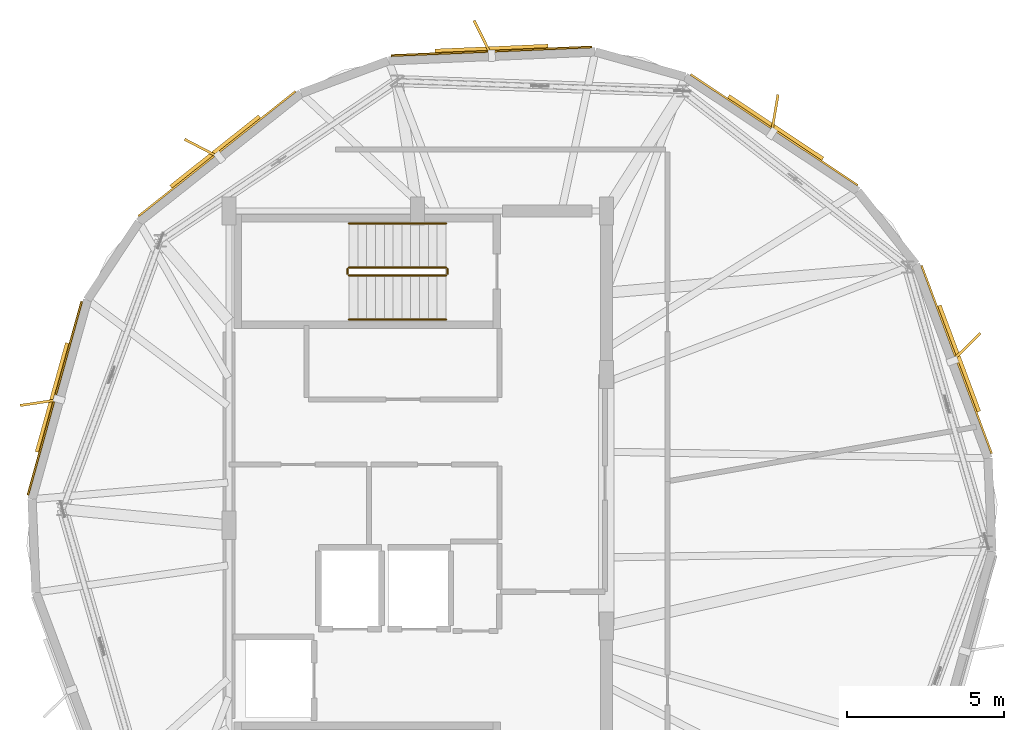
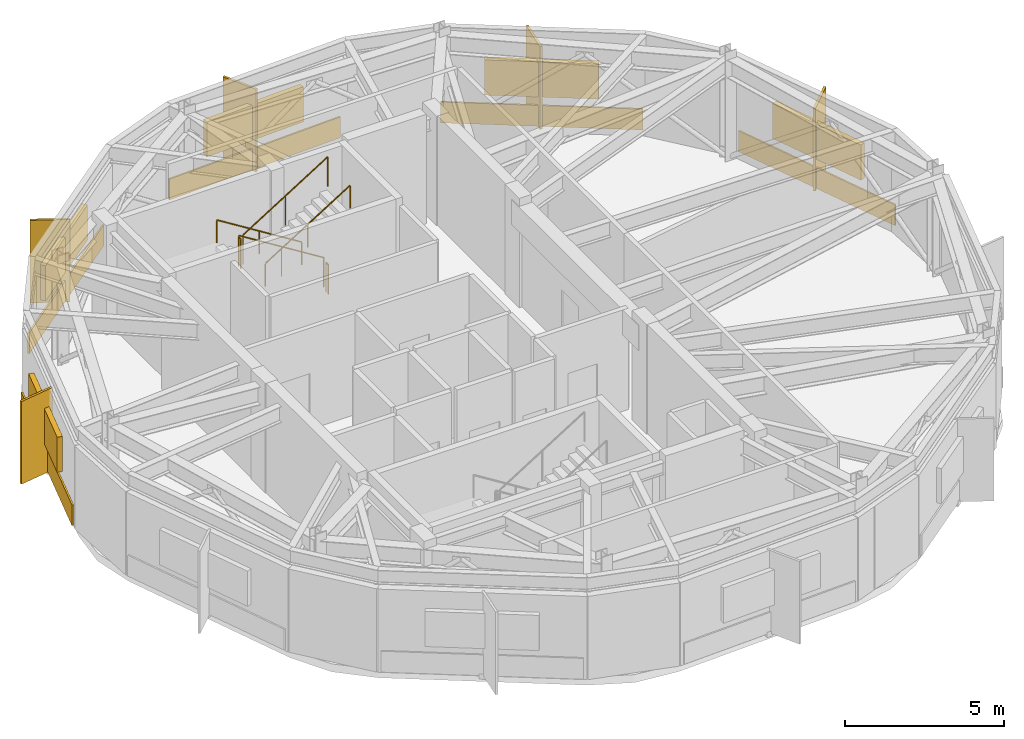
# One storey, part 6 of 6: 10 shading devices, 6 railings, 5 coverings.
"""IFC4 building model written with IfcOpenShell, lengths in metres."""

from ifc_helpers import new_model, si_unit, direction, frame, origin, origin_2d, place, context, subcontext, project, spatial, rectangle, circle, extrude, material, layer, layer_set, type_object, element, save


model = new_model("IFC4")

# Units and contexts
model_context = context("Model", 3, precision=1e-05, world=origin(), true_north=direction((0.0, 1.0)))
body_context = subcontext(model_context, "Body", "Model", "MODEL_VIEW")
ifc_project = project(units=[si_unit("LENGTHUNIT", "METRE"), si_unit("AREAUNIT", "SQUARE_METRE"), si_unit("VOLUMEUNIT", "CUBIC_METRE"), si_unit("PLANEANGLEUNIT", "RADIAN"), si_unit("MASSUNIT", "GRAM", prefix="KILO")], contexts=[model_context])

# Site, building, storey
site_placement = place(None, origin())
site = spatial("IfcSite", under=ifc_project, at=site_placement, CompositionType="ELEMENT")
building_placement = place(site_placement, origin())
building = spatial("IfcBuilding", under=site, at=building_placement, Name="Soratama Intermodal Tower", CompositionType="ELEMENT")
storey_placement = place(building_placement, frame((0.0, 0.0, 309.85009765625)))
storey = spatial("IfcBuildingStorey", under=building, at=storey_placement, Name="L78", CompositionType="ELEMENT", Elevation=309.85009765625)

# Coverings
ifc_material_1 = material(Name="Honed Andean limestone cladding", Category="masonry")
ifc_layer_1 = layer(ifc_material_1, 0.06005859375)
ifc_layer_set_1 = layer_set([ifc_layer_1], Name="Honed Andean limestone cladding")
covering_type = type_object("IfcCoveringType", Name="CV-STONE-CLAD", PredefinedType="CLADDING", material=ifc_layer_set_1)
for number, where, z_axis, x_axis, name in (
    (1, (40.9521484375, 40.07763671875, 0.0498046875), (0.0, 0.0, 1.0), (-0.999078430194, -0.042921909558, 0.0), "L78 Stone Cladding F01"),
    (2, (32.21337890625, 36.8173828125, 0.0498046875), (0.0, 0.0, 1.0), (-0.783042563302, -0.621968121415, 0.0), "L78 Stone Cladding F02"),
    (3, (27.06005859375, 29.043212890625, 0.0498046875), (0.0, 0.0, 1.0), (-0.267911051866, -0.963443650811, 0.0), "L78 Stone Cladding F03"),
):
    element("IfcCovering", number, at=place(storey_placement, frame(where, z_axis=z_axis, x_axis=x_axis)), inside=storey, type_object=covering_type, Name=name, PredefinedType="CLADDING", context=body_context, shape_type="SweptSolid", body=[
        extrude(rectangle(XDim=6.3837890625, YDim=0.06005859375, at=origin_2d()), origin(), (0.0, 0.0, 1.0), 0.800048828125),
    ])
covering_1_placement = place(storey_placement, frame((55.739501953125, 30.275390625, 0.0498046875), z_axis=(0.0, 0.0, 1.0), x_axis=(-0.349553375421, 0.936916451842, 0.0)))
element("IfcCovering", 4, at=covering_1_placement, inside=storey, type_object=covering_type, Name="L78 Stone Cladding F09", PredefinedType="CLADDING", context=body_context, shape_type="SweptSolid", body=[
    extrude(rectangle(XDim=6.384033203125, YDim=0.06005859375, at=origin_2d()), origin(), (0.0, 0.0, 1.0), 0.800048828125),
])
covering_2_placement = place(storey_placement, frame((49.9384765625, 37.578857421875, 0.0498046875), z_axis=(0.0, 0.0, 1.0), x_axis=(-0.833500294179, 0.552519012888, 0.0)))
element("IfcCovering", 5, at=covering_2_placement, inside=storey, type_object=covering_type, Name="L78 Stone Cladding F10", PredefinedType="CLADDING", context=body_context, shape_type="SweptSolid", body=[
    extrude(rectangle(XDim=6.3837890625, YDim=0.06005859375, at=origin_2d()), origin(), (0.0, 0.0, 1.0), 0.800048828125),
])

# Railings
ifc_material_2 = material(Name="Painted steel stair guardrail", Category="steel")
railing_type_1 = type_object("IfcRailingType", Name="RL-STAIR-GUARD", PredefinedType="GUARDRAIL", material=ifc_material_2)
railing_1_placement = place(storey_placement, frame((39.5, 33.199951171875, 0.1748046875)))
element("IfcRailing", 6, at=railing_1_placement, inside=storey, type_object=railing_type_1, Name="L78 ST-2 stair guard 1", PredefinedType="GUARDRAIL", context=body_context, shape_type="SweptSolid", body=[
    extrude(circle(Radius=0.02392578125, at=origin_2d()), frame((0.0, 0.0, 1.1259765625), z_axis=(-0.847998304005, 0.0, 0.529998940003), x_axis=(0.0, -1.0, 0.0)), (0.0, 0.0, 1.0), 3.632080078125),
    extrude(circle(Radius=0.02099609375, at=origin_2d()), origin(), (0.0, 0.0, 1.0), 1.101806640625),
    extrude(circle(Radius=0.02099609375, at=origin_2d()), frame((-1.5400390625, 0.0, 0.96240234375)), (0.0, 0.0, 1.0), 1.101806640625),
    extrude(circle(Radius=0.02099609375, at=origin_2d()), frame((-3.080078125, 0.0, 1.925048828125)), (0.0, 0.0, 1.0), 1.101806640625),
])
railing_2_placement = place(storey_placement, frame((36.3701171875, 33.14990234375, 2.099853515625)))
element("IfcRailing", 7, at=railing_2_placement, inside=storey, type_object=railing_type_1, Name="L78 ST-2 stair guard 2", PredefinedType="GUARDRAIL", context=body_context, shape_type="SweptSolid", body=[
    extrude(circle(Radius=0.02392578125, at=origin_2d()), frame((0.0, 0.0, 1.1259765625), z_axis=(0.0, -1.0, 0.0), x_axis=(1.0, 0.0, 0.0)), (0.0, 0.0, 1.0), 0.14990234375),
    extrude(circle(Radius=0.02099609375, at=origin_2d()), origin(), (0.0, 0.0, 1.0), 1.101806640625),
    extrude(circle(Radius=0.02099609375, at=origin_2d()), frame((0.0, -0.14990234375, 0.0)), (0.0, 0.0, 1.0), 1.101806640625),
])
railing_3_placement = place(storey_placement, frame((36.419921875, 32.949951171875, 2.27490234375)))
element("IfcRailing", 8, at=railing_3_placement, inside=storey, type_object=railing_type_1, Name="L78 ST-2 stair guard 3", PredefinedType="GUARDRAIL", context=body_context, shape_type="SweptSolid", body=[
    extrude(circle(Radius=0.02392578125, at=origin_2d()), frame((0.0, 0.0, 1.1259765625), z_axis=(0.847998304005, 0.0, 0.529998940003), x_axis=(0.0, 1.0, 0.0)), (0.0, 0.0, 1.0), 3.632080078125),
    extrude(circle(Radius=0.02099609375, at=origin_2d()), origin(), (0.0, 0.0, 1.0), 1.101806640625),
    extrude(circle(Radius=0.02099609375, at=origin_2d()), frame((1.5400390625, 0.0, 0.96240234375)), (0.0, 0.0, 1.0), 1.101806640625),
    extrude(circle(Radius=0.02099609375, at=origin_2d()), frame((3.080078125, 0.0, 1.925048828125)), (0.0, 0.0, 1.0), 1.101806640625),
])
railing_4_placement = place(storey_placement, frame((39.550048828125, 33.14990234375, 0.0)))
element("IfcRailing", 9, at=railing_4_placement, inside=storey, type_object=railing_type_1, Name="L78 ST-2 stair guard 4", PredefinedType="GUARDRAIL", context=body_context, shape_type="SweptSolid", body=[
    extrude(circle(Radius=0.02392578125, at=origin_2d()), frame((0.0, 0.0, 1.1259765625), z_axis=(0.0, -1.0, 0.0), x_axis=(1.0, 0.0, 0.0)), (0.0, 0.0, 1.0), 0.14990234375),
    extrude(circle(Radius=0.02099609375, at=origin_2d()), origin(), (0.0, 0.0, 1.0), 1.101806640625),
    extrude(circle(Radius=0.02099609375, at=origin_2d()), frame((0.0, -0.14990234375, 0.0)), (0.0, 0.0, 1.0), 1.101806640625),
])
ifc_material_3 = material(Name="Brushed stainless steel handrail", Category="steel")
railing_type_2 = type_object("IfcRailingType", Name="RL-STAIR-HAND", PredefinedType="HANDRAIL", material=ifc_material_3)
railing_5_placement = place(storey_placement, frame((39.5, 34.60009765625, 0.1748046875)))
element("IfcRailing", 10, at=railing_5_placement, inside=storey, type_object=railing_type_2, Name="L78 ST-2 stair handrail 1", PredefinedType="HANDRAIL", context=body_context, shape_type="SweptSolid", body=[
    extrude(circle(Radius=0.02392578125, at=origin_2d()), frame((0.0, 0.0, 0.8759765625), z_axis=(-0.847998304005, 0.0, 0.529998940003), x_axis=(0.0, -1.0, 0.0)), (0.0, 0.0, 1.0), 3.632080078125),
    extrude(circle(Radius=0.02099609375, at=origin_2d()), origin(), (0.0, 0.0, 1.0), 0.851806640625),
    extrude(circle(Radius=0.02099609375, at=origin_2d()), frame((-1.5400390625, 0.0, 0.96240234375)), (0.0, 0.0, 1.0), 0.851806640625),
    extrude(circle(Radius=0.02099609375, at=origin_2d()), frame((-3.080078125, 0.0, 1.925048828125)), (0.0, 0.0, 1.0), 0.851806640625),
])
railing_6_placement = place(storey_placement, frame((36.419921875, 31.550048828125, 2.27490234375)))
element("IfcRailing", 11, at=railing_6_placement, inside=storey, type_object=railing_type_2, Name="L78 ST-2 stair handrail 2", PredefinedType="HANDRAIL", context=body_context, shape_type="SweptSolid", body=[
    extrude(circle(Radius=0.02392578125, at=origin_2d()), frame((0.0, 0.0, 0.8759765625), z_axis=(0.847998304005, 0.0, 0.529998940003), x_axis=(0.0, 1.0, 0.0)), (0.0, 0.0, 1.0), 3.632080078125),
    extrude(circle(Radius=0.02099609375, at=origin_2d()), origin(), (0.0, 0.0, 1.0), 0.851806640625),
    extrude(circle(Radius=0.02099609375, at=origin_2d()), frame((1.5400390625, 0.0, 0.96240234375)), (0.0, 0.0, 1.0), 0.851806640625),
    extrude(circle(Radius=0.02099609375, at=origin_2d()), frame((3.080078125, 0.0, 1.925048828125)), (0.0, 0.0, 1.0), 0.851806640625),
])

# Shading devices
ifc_material_4 = material(Name="Champagne anodised aluminium solar fin", Category="aluminium")
ifc_layer_2 = layer(ifc_material_4, 0.080078125)
ifc_layer_set_2 = layer_set([ifc_layer_2], Name="Champagne anodised aluminium solar fin")
shading_device_type_1 = type_object("IfcShadingDeviceType", Name="SH-FIN-1250", PredefinedType="USERDEFINED", material=ifc_layer_set_2)
for number, where, z_axis, x_axis, name in (
    (12, (40.671630859375, 40.4951171875, 0.02001953125), (0.0, 0.0, 1.0), (-0.445572922377, 0.895245648325, 0.0), "L78 Solar Fin F01-1"),
    (13, (31.7412109375, 36.990234375, 0.02001953125), (0.0, 0.0, 1.0), (-0.886688255701, 0.462367751041, 0.0), "L78 Solar Fin F02-1"),
    (14, (26.576416015625, 28.905517578125, 0.02001953125), (0.0, 0.0, 1.0), (-0.989118812772, -0.147118911839, 0.0), "L78 Solar Fin F03-1"),
    (15, (56.050048828125, 30.671142578125, 0.02001953125), (0.0, 0.0, 1.0), (0.713739602276, 0.700411150784, 0.0), "L78 Solar Fin F09-1"),
    (16, (49.956787109375, 38.08154296875, 0.02001953125), (0.0, 0.0, 1.0), (0.165736122828, 0.986170136229, 0.0), "L78 Solar Fin F10-1"),
):
    element("IfcShadingDevice", number, at=place(storey_placement, frame(where, z_axis=z_axis, x_axis=x_axis)), inside=storey, type_object=shading_device_type_1, Name=name, ObjectType="FIN", PredefinedType="USERDEFINED", context=body_context, shape_type="SweptSolid", body=[
        extrude(rectangle(XDim=1.25, YDim=0.080078125, at=origin_2d()), origin(), (0.0, 0.0, 1.0), 3.175048828125),
    ])
ifc_material_5 = material(Name="Anodised aluminium weather louvre", Category="aluminium")
ifc_layer_3 = layer(ifc_material_5, 0.1201171875)
ifc_layer_set_3 = layer_set([ifc_layer_3], Name="Anodised aluminium weather louvre")
shading_device_type_2 = type_object("IfcShadingDeviceType", Name="SH-LOUVRE-PLANT", PredefinedType="JALOUSIE", material=ifc_layer_set_3)
for number, where, z_axis, x_axis, name in (
    (17, (40.94970703125, 40.1376953125, 1.1748046875), (0.0, 0.0, 1.0), (-0.999078430194, -0.042921909558, 0.0), "L78 Acoustic Louvre F01"),
    (18, (32.17626953125, 36.864501953125, 1.1748046875), (0.0, 0.0, 1.0), (-0.783042563302, -0.621968121415, 0.0), "L78 Acoustic Louvre F02"),
    (19, (27.002197265625, 29.05908203125, 1.1748046875), (0.0, 0.0, 1.0), (-0.267911051866, -0.963443650811, 0.0), "L78 Acoustic Louvre F03"),
    (20, (55.7958984375, 30.29638671875, 1.1748046875), (0.0, 0.0, 1.0), (-0.349553375421, 0.936916451842, 0.0), "L78 Acoustic Louvre F09"),
    (21, (49.971435546875, 37.62890625, 1.1748046875), (0.0, 0.0, 1.0), (-0.833500294179, 0.552519012888, 0.0), "L78 Acoustic Louvre F10"),
):
    element("IfcShadingDevice", number, at=place(storey_placement, frame(where, z_axis=z_axis, x_axis=x_axis)), inside=storey, type_object=shading_device_type_2, Name=name, PredefinedType="JALOUSIE", context=body_context, shape_type="SweptSolid", body=[
        extrude(rectangle(XDim=3.60009765625, YDim=0.179931640625, at=origin_2d()), origin(), (0.0, 0.0, 1.0), 1.35009765625),
    ])

save(model, "model.ifc")
